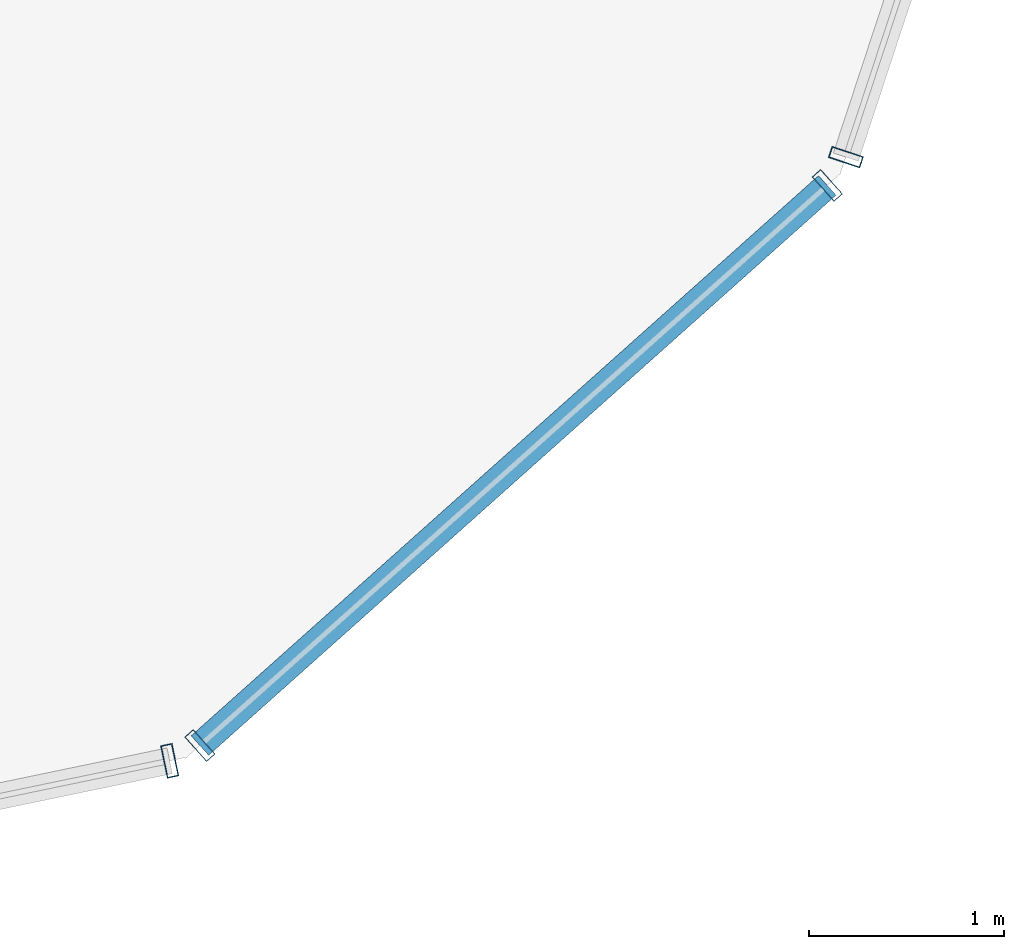
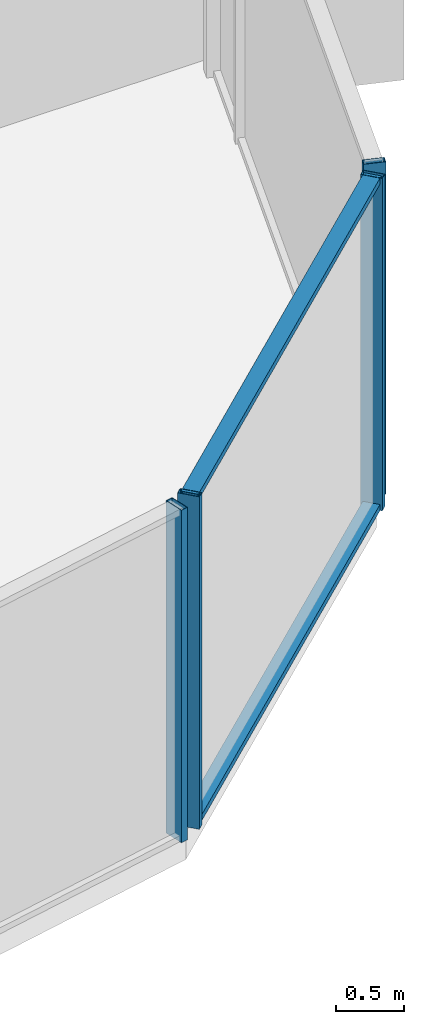
# One storey, part 14 of 38: 6 members, 3 elements without a shape of their own.
"""IFC4 building model written with IfcOpenShell, lengths in metres."""

from ifc_helpers import new_model, si_unit, direction, frame, origin, origin_2d, place, context, subcontext, project, spatial, hollow_rectangle, extrude, source, transform, mapped, material, layer, layer_set, material_profile, profile_set, type_object, element, aggregate, save


model = new_model("IFC4")

# Units and contexts
model_context = context("Model", 3, precision=1e-05, world=origin(), true_north=direction((0.0, 1.0)))
body_context = subcontext(model_context, "Body", "Model", "MODEL_VIEW")
ifc_project = project(units=[si_unit("LENGTHUNIT", "METRE"), si_unit("AREAUNIT", "SQUARE_METRE"), si_unit("VOLUMEUNIT", "CUBIC_METRE"), si_unit("PLANEANGLEUNIT", "RADIAN"), si_unit("MASSUNIT", "GRAM", prefix="KILO")], contexts=[model_context])

# Site, building, storey
site_placement = place(None, origin())
site = spatial("IfcSite", under=ifc_project, at=site_placement, CompositionType="ELEMENT")
building_placement = place(site_placement, origin())
building = spatial("IfcBuilding", under=site, at=building_placement, Name="Veraguas Prism Commons", CompositionType="ELEMENT")
storey_placement = place(building_placement, frame((0.0, 0.0, 64.10009765625)))
storey = spatial("IfcBuildingStorey", under=building, at=storey_placement, Name="L17", CompositionType="ELEMENT", Elevation=64.10009765625)

# Curtain wall, members
ifc_material = material(Name="Anodised aluminium EN AW-6063 T6", Category="aluminium")
ifc_layer = layer(ifc_material, 0.169921875, Name="Unitised Flush Curtain Wall Zone 1", Category="aluminium")
ifc_layer_set = layer_set([ifc_layer], Name="Anodised aluminium EN AW-6063 T6")
curtain_wall_type = type_object("IfcCurtainWallType", Name="Unitised Flush Curtain Wall Zone 1", PredefinedType="NOTDEFINED", material=ifc_layer_set)
curtain_wall_1_placement = place(storey_placement, origin())
curtain_wall_1 = element("IfcCurtainWall", 1, at=curtain_wall_1_placement, inside=storey, type_object=curtain_wall_type, Name="Chamfer Curtain Wall L17-C6", PredefinedType="NOTDEFINED")
ifc_material_profile_1 = material_profile(ifc_material, hollow_rectangle(XDim=0.054931640625, YDim=0.135009765625, WallThickness=0.0029296875, at=origin_2d()), Name="AL55X135X3")
ifc_profile_set_1 = profile_set([ifc_material_profile_1], Name="Anodised aluminium EN AW-6063 T6")
member_type_1 = type_object("IfcMemberType", Name="Curtain Wall Transom Standard AL 55x135x3", PredefinedType="USERDEFINED", material=ifc_profile_set_1)
shared_shape_1 = source(origin(), body_context, "Body", "SweptSolid", [
    extrude(hollow_rectangle(XDim=0.054931640625, YDim=0.135009765625, WallThickness=0.0029296875, at=origin_2d()), origin(), (0.0, 0.0, 1.0), 4.31982421875),
])
member_1_placement = place(storey_placement, frame((37.5078125, 5.6279296875, 0.02734375), z_axis=(0.745960725028, 0.665989937399, 0.0), x_axis=(0.0, 0.0, 1.0)))
member_1 = element("IfcMember", 2, at=member_1_placement, type_object=member_type_1, Name="CW-Z1 Transom 1", ObjectType="TRANSOM", PredefinedType="USERDEFINED", context=body_context, shape_type="MappedRepresentation", body=[
    mapped(shared_shape_1, transform((0.0, 0.0, 0.0), scale=1.0)),
])
member_2_placement = place(storey_placement, frame((37.5078125, 5.6279296875, 2.972412109375), z_axis=(0.745960725028, 0.665989937399, 0.0), x_axis=(0.0, 0.0, 1.0)))
member_2 = element("IfcMember", 3, at=member_2_placement, type_object=member_type_1, Name="CW-Z1 Transom 2", ObjectType="TRANSOM", PredefinedType="USERDEFINED", context=body_context, shape_type="MappedRepresentation", body=[
    mapped(shared_shape_1, transform((0.0, 0.0, 0.0), scale=1.0)),
])

# Curtain wall, member
curtain_wall_2_placement = place(storey_placement, origin())
curtain_wall_2 = element("IfcCurtainWall", 4, at=curtain_wall_2_placement, inside=storey, type_object=curtain_wall_type, Name="Tower Facade Curtain Wall L17-F5", PredefinedType="NOTDEFINED")
ifc_material_profile_2 = material_profile(ifc_material, hollow_rectangle(XDim=0.06005859375, YDim=0.169921875, WallThickness=0.00390625, at=origin_2d()), Name="AL60X170X4")
ifc_profile_set_2 = profile_set([ifc_material_profile_2], Name="Anodised aluminium EN AW-6063 T6")
member_type_2 = type_object("IfcMemberType", Name="Curtain Wall Mullion Lower AL 60x170x4", PredefinedType="MULLION", material=ifc_profile_set_2)
shared_shape_2 = source(origin(), body_context, "Body", "SweptSolid", [
    extrude(hollow_rectangle(XDim=0.06005859375, YDim=0.169921875, WallThickness=0.00390625, at=origin_2d()), origin(), (0.0, 0.0, 1.0), 3.0),
])
member_3_placement = place(storey_placement, frame((37.3525390625, 5.549560546875, 0.0), z_axis=(0.0, 0.0, 1.0), x_axis=(0.979008848209, 0.203817749789, 0.0)))
member_3 = element("IfcMember", 5, at=member_3_placement, type_object=member_type_2, Name="CW-Z1 Mullion 5", PredefinedType="MULLION", context=body_context, shape_type="MappedRepresentation", body=[
    mapped(shared_shape_2, transform((0.0, 0.0, 0.0), scale=1.0)),
])
aggregate(curtain_wall_2, [member_3])

curtain_wall_3_placement = place(storey_placement, origin())
curtain_wall_3 = element("IfcCurtainWall", 6, at=curtain_wall_3_placement, inside=storey, type_object=curtain_wall_type, Name="Tower Facade Curtain Wall L17-F6", PredefinedType="NOTDEFINED")
member_4_placement = place(storey_placement, frame((40.82568359375, 8.650390625, 0.0), z_axis=(0.0, 0.0, 1.0), x_axis=(0.312991417409, 0.949755954248, 0.0)))
member_4 = element("IfcMember", 7, at=member_4_placement, type_object=member_type_2, Name="CW-Z1 Mullion 1", PredefinedType="MULLION", context=body_context, shape_type="MappedRepresentation", body=[
    mapped(shared_shape_2, transform((0.0, 0.0, 0.0), scale=1.0)),
])
aggregate(curtain_wall_3, [member_4])

# Member
member_5_placement = place(storey_placement, frame((37.5078125, 5.6279296875, 0.0), z_axis=(0.0, 0.0, 1.0), x_axis=(0.745953931797, 0.66599754627, 0.0)))
member_5 = element("IfcMember", 8, at=member_5_placement, type_object=member_type_2, Name="CW-Z1 Mullion 1", PredefinedType="MULLION", context=body_context, shape_type="MappedRepresentation", body=[
    mapped(shared_shape_2, transform((0.0, 0.0, 0.0), scale=1.0)),
])

member_6_placement = place(storey_placement, frame((40.730224609375, 8.5048828125, 0.0), z_axis=(0.0, 0.0, 1.0), x_axis=(0.745953931797, 0.66599754627, 0.0)))
member_6 = element("IfcMember", 9, at=member_6_placement, type_object=member_type_2, Name="CW-Z1 Mullion 2", PredefinedType="MULLION", context=body_context, shape_type="MappedRepresentation", body=[
    mapped(shared_shape_2, transform((0.0, 0.0, 0.0), scale=1.0)),
])

aggregate(curtain_wall_1, [member_5, member_6, member_1, member_2])

save(model, "model.ifc")
